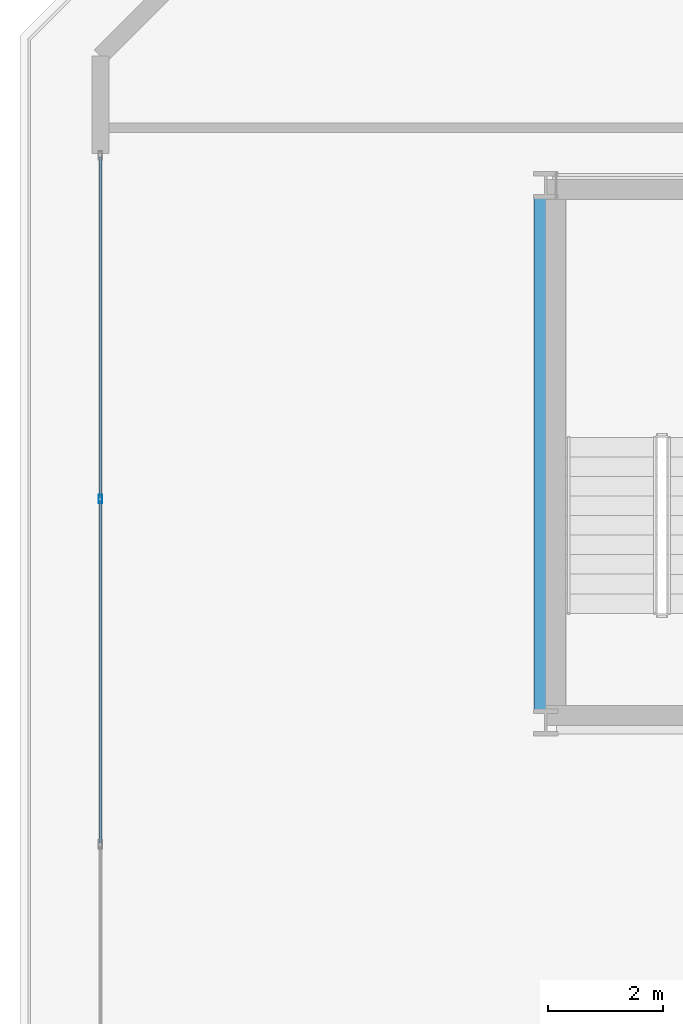
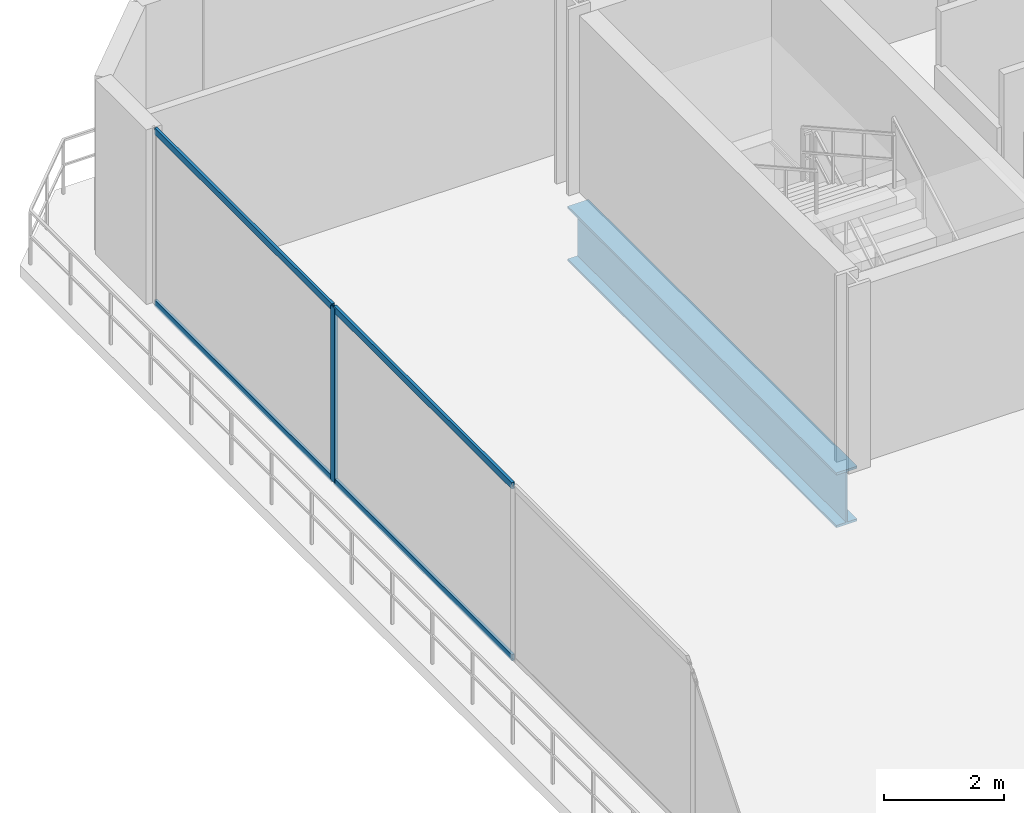
# One storey, part 7 of 19: 5 members, 1 beam, 1 element without a shape of its own.
"""IFC4 building model written with IfcOpenShell, lengths in metres."""

from ifc_helpers import new_model, si_unit, direction, frame, origin, origin_2d, place, context, subcontext, project, spatial, hollow_rectangle, i_section, extrude, material, layer, layer_set, material_profile, profile_set, type_object, element, aggregate, save


model = new_model("IFC4")

# Units and contexts
model_context = context("Model", 3, precision=1e-05, world=origin(), true_north=direction((0.0, 1.0)))
body_context = subcontext(model_context, "Body", "Model", "MODEL_VIEW")
ifc_project = project(units=[si_unit("LENGTHUNIT", "METRE"), si_unit("AREAUNIT", "SQUARE_METRE"), si_unit("VOLUMEUNIT", "CUBIC_METRE"), si_unit("PLANEANGLEUNIT", "RADIAN"), si_unit("MASSUNIT", "GRAM", prefix="KILO")], contexts=[model_context])

# Site, building, storey
site_placement = place(None, origin())
site = spatial("IfcSite", under=ifc_project, at=site_placement, CompositionType="ELEMENT")
building_placement = place(site_placement, origin())
building = spatial("IfcBuilding", under=site, at=building_placement, Name="Zuhayl Quay Hotel", CompositionType="ELEMENT")
storey_placement = place(building_placement, frame((0.0, 0.0, 304.85009765625)))
storey = spatial("IfcBuildingStorey", under=building, at=storey_placement, Name="Crown 3", CompositionType="ELEMENT", Elevation=304.85009765625)

# Beam
ifc_material_1 = material(Name="Steel ASTM A913 Grade 65", Category="steel")
ifc_material_profile_1 = material_profile(ifc_material_1, i_section(OverallWidth=0.404052734375, OverallDepth=1.117919921875, WebThickness=0.026123046875, FlangeThickness=0.044921875, at=origin_2d()), Name="W44X335")
ifc_profile_set_1 = profile_set([ifc_material_profile_1], Name="Steel ASTM A913 Grade 65")
beam_type = type_object("IfcBeamType", Name="BM_TG1_W44X335", PredefinedType="BEAM", material=ifc_profile_set_1)
beam_placement = place(storey_placement, frame((-9.449951171875, 25.2900390625, -0.799072265625), z_axis=(0.0, 1.0, 0.0), x_axis=(-1.0, 0.0, 0.0)))
element("IfcBeam", 1, at=beam_placement, inside=storey, type_object=beam_type, Name="Crown 3 Floor Beam CR_NS_3_1", PredefinedType="BEAM", context=body_context, shape_type="SweptSolid", body=[
    extrude(i_section(OverallWidth=0.404052734375, OverallDepth=1.117919921875, WebThickness=0.026123046875, FlangeThickness=0.044921875, at=origin_2d()), origin(), (0.0, 0.0, 1.0), 8.969970703125),
])

# Curtain wall, members
ifc_material_2 = material(Name="Anodised Aluminium 6063-T6", Category="aluminium")
ifc_layer = layer(ifc_material_2, 0.159912109375, Name="Anodised Aluminium 6063-T6", Category="aluminium")
ifc_layer_set = layer_set([ifc_layer], Name="Anodised Aluminium 6063-T6")
curtain_wall_type = type_object("IfcCurtainWallType", Name="CW_SYS_CRN", PredefinedType="USERDEFINED", material=ifc_layer_set)
curtain_wall_placement = place(storey_placement, origin())
curtain_wall = element("IfcCurtainWall", 2, at=curtain_wall_placement, inside=storey, type_object=curtain_wall_type, Name="Crown 3 Curtain Wall ENV_CR3_E1_CW1", ObjectType="UNITISED CURTAIN WALL", PredefinedType="USERDEFINED")
ifc_material_3 = material(Name="Black-anodised aluminium 6063-T6", Category="aluminium")
ifc_material_profile_2 = material_profile(ifc_material_3, hollow_rectangle(XDim=0.06005859375, YDim=0.14990234375, WallThickness=0.00341796875, at=origin_2d()), Name="ALU150X60")
ifc_profile_set_2 = profile_set([ifc_material_profile_2], Name="Black-anodised aluminium 6063-T6")
member_type_1 = type_object("IfcMemberType", Name="MB_CW_MUL_150", PredefinedType="MULLION", material=ifc_profile_set_2)
member_1_placement = place(storey_placement, frame((-17.199951171875, 28.987548828125, 0.0), z_axis=(0.0, 0.0, 1.0), x_axis=(-1.0, 0.0, 0.0)))
member_1 = element("IfcMember", 3, at=member_1_placement, type_object=member_type_1, Name="CW-CRN mullion 4", PredefinedType="MULLION", context=body_context, shape_type="SweptSolid", body=[
    extrude(hollow_rectangle(XDim=0.06005859375, YDim=0.14990234375, WallThickness=0.00341796875, at=origin_2d()), origin(), (0.0, 0.0, 1.0), 3.559814453125),
])
ifc_material_profile_3 = material_profile(ifc_material_3, hollow_rectangle(XDim=0.054931640625, YDim=0.1298828125, WallThickness=0.0029296875, at=origin_2d()), Name="ALU130X55")
ifc_profile_set_3 = profile_set([ifc_material_profile_3], Name="Black-anodised aluminium 6063-T6")
member_type_2 = type_object("IfcMemberType", Name="MB_CW_TRN_130", PredefinedType="USERDEFINED", material=ifc_profile_set_3)
member_2_placement = place(storey_placement, frame((-17.199951171875, 23.0048828125, 0.02734375), z_axis=(0.0, 1.0, 0.0), x_axis=(-1.0, 0.0, 0.0)))
member_2 = element("IfcMember", 4, at=member_2_placement, type_object=member_type_2, Name="CW-CRN transom 3.1", ObjectType="TRANSOM", PredefinedType="USERDEFINED", context=body_context, shape_type="SweptSolid", body=[
    extrude(hollow_rectangle(XDim=0.054931640625, YDim=0.1298828125, WallThickness=0.0029296875, at=origin_2d()), origin(), (0.0, 0.0, 1.0), 5.95263671875),
])
member_3_placement = place(storey_placement, frame((-17.199951171875, 23.0048828125, 3.532470703125), z_axis=(0.0, 1.0, 0.0), x_axis=(-1.0, 0.0, 0.0)))
member_3 = element("IfcMember", 5, at=member_3_placement, type_object=member_type_2, Name="CW-CRN transom 3.2", ObjectType="TRANSOM", PredefinedType="USERDEFINED", context=body_context, shape_type="SweptSolid", body=[
    extrude(hollow_rectangle(XDim=0.054931640625, YDim=0.1298828125, WallThickness=0.0029296875, at=origin_2d()), origin(), (0.0, 0.0, 1.0), 5.95263671875),
])
member_4_placement = place(storey_placement, frame((-17.199951171875, 29.017578125, 0.02734375), z_axis=(0.0, 1.0, 0.0), x_axis=(-1.0, 0.0, 0.0)))
member_4 = element("IfcMember", 6, at=member_4_placement, type_object=member_type_2, Name="CW-CRN transom 4.1", ObjectType="TRANSOM", PredefinedType="USERDEFINED", context=body_context, shape_type="SweptSolid", body=[
    extrude(hollow_rectangle(XDim=0.054931640625, YDim=0.1298828125, WallThickness=0.0029296875, at=origin_2d()), origin(), (0.0, 0.0, 1.0), 5.92236328125),
])
member_5_placement = place(storey_placement, frame((-17.199951171875, 29.017578125, 3.532470703125), z_axis=(0.0, 1.0, 0.0), x_axis=(-1.0, 0.0, 0.0)))
member_5 = element("IfcMember", 7, at=member_5_placement, type_object=member_type_2, Name="CW-CRN transom 4.2", ObjectType="TRANSOM", PredefinedType="USERDEFINED", context=body_context, shape_type="SweptSolid", body=[
    extrude(hollow_rectangle(XDim=0.054931640625, YDim=0.1298828125, WallThickness=0.0029296875, at=origin_2d()), origin(), (0.0, 0.0, 1.0), 5.92236328125),
])
aggregate(curtain_wall, [member_1, member_2, member_3, member_4, member_5])

save(model, "model.ifc")
